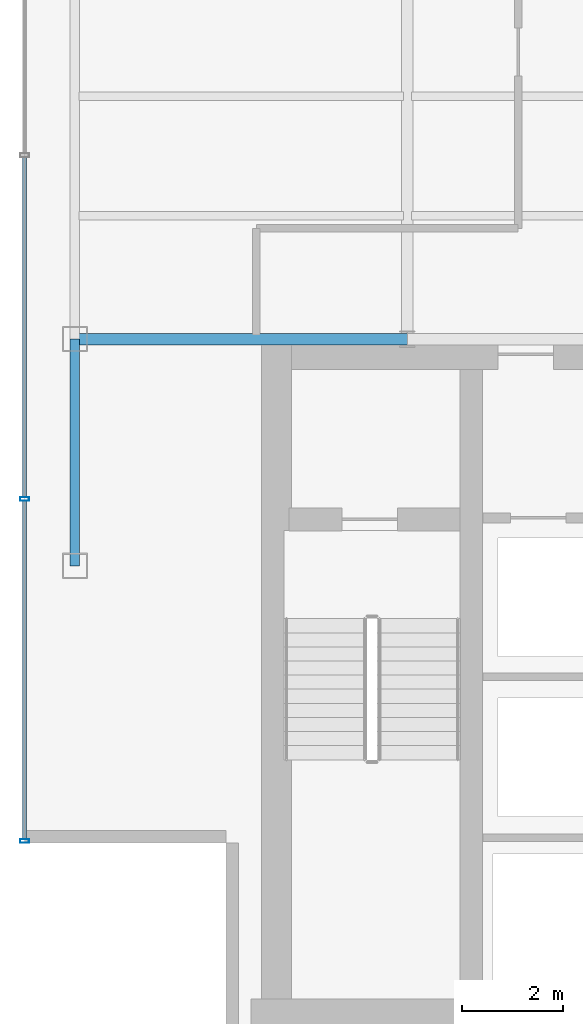
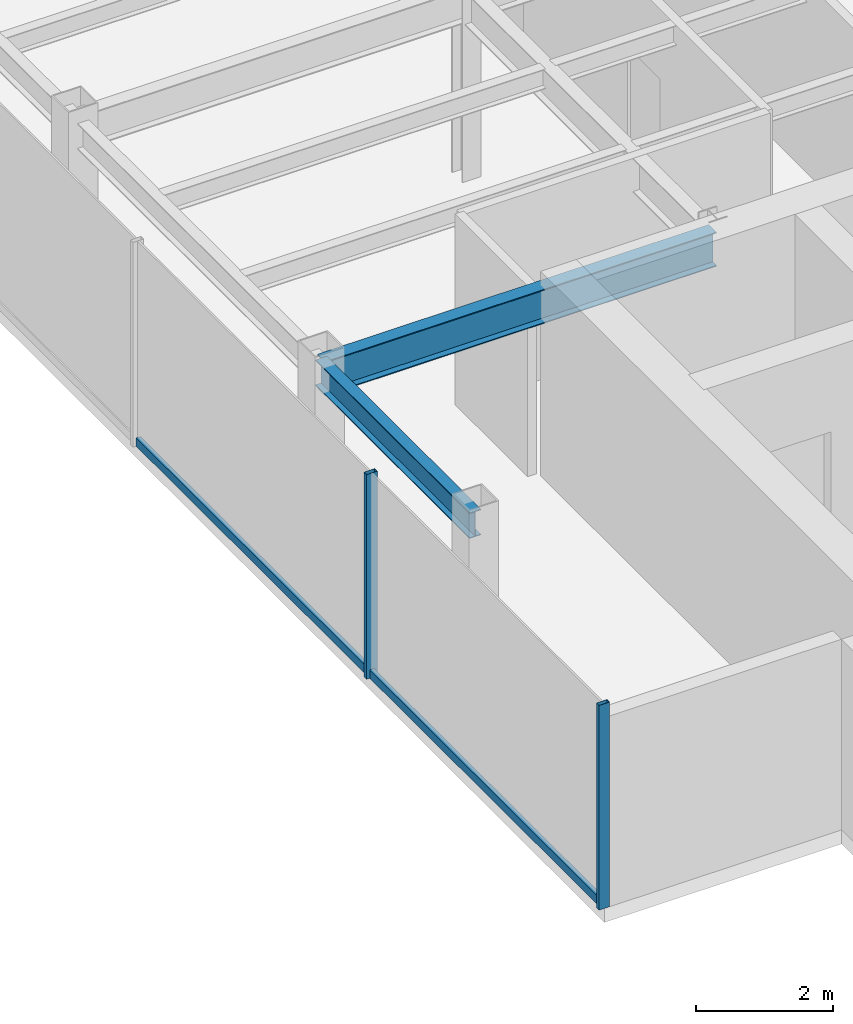
# One storey, part 3 of 21: 4 members, 2 beams, 1 element without a shape of its own.
"""IFC4 building model written with IfcOpenShell, lengths in metres."""

from ifc_helpers import new_model, si_unit, derived_unit, direction, frame, origin, origin_2d, place, context, subcontext, project, spatial, hollow_rectangle, i_section, extrude, source, transform, mapped, material, material_profile, profile_set, type_object, element, aggregate, save


model = new_model("IFC4")

# Units and contexts
model_context = context("Model", 3, precision=1e-05, world=origin(), true_north=direction((0.0, 1.0)))
body_context = subcontext(model_context, "Body", "Model", "MODEL_VIEW")
ifc_project = project(units=[si_unit("LENGTHUNIT", "METRE"), si_unit("AREAUNIT", "SQUARE_METRE"), si_unit("VOLUMEUNIT", "CUBIC_METRE"), si_unit("PLANEANGLEUNIT", "RADIAN"), si_unit("MASSUNIT", "GRAM", prefix="KILO"), derived_unit("THERMALTRANSMITTANCEUNIT", [(si_unit("POWERUNIT", "WATT"), 1), (si_unit("LENGTHUNIT", "METRE"), -2), (si_unit("THERMODYNAMICTEMPERATUREUNIT", "KELVIN"), -1)])], contexts=[model_context])

# Site, building, storey
site_placement = place(None, origin())
site = spatial("IfcSite", under=ifc_project, at=site_placement, CompositionType="ELEMENT")
building_placement = place(site_placement, origin())
building = spatial("IfcBuilding", under=site, at=building_placement, Name="Skarnbrae Concourse Arena and Tower", CompositionType="ELEMENT")
storey_placement = place(building_placement, frame((0.0, 0.0, 188.60009765625)))
storey = spatial("IfcBuildingStorey", under=building, at=storey_placement, Name="L48", CompositionType="ELEMENT", Elevation=188.60009765625)

# Beams
ifc_material_1 = material(Name="Steel CSA G40.21 350W", Category="steel")
ifc_material_profile_1 = material_profile(ifc_material_1, i_section(OverallWidth=0.22802734375, OverallDepth=0.60791015625, WebThickness=0.01123046875, FlangeThickness=0.017333984375, at=origin_2d()), Name="W610X113")
ifc_profile_set_1 = profile_set([ifc_material_profile_1], Name="Steel CSA G40.21 350W")
beam_type_1 = type_object("IfcBeamType", Name="BM-GIRD-W610X113", PredefinedType="BEAM", material=ifc_profile_set_1)
shared_shape_1 = source(origin(), body_context, "Body", "SweptSolid", [
    extrude(i_section(OverallWidth=0.22802734375, OverallDepth=0.60791015625, WebThickness=0.01123046875, FlangeThickness=0.017333984375, at=origin_2d()), origin(), (0.0, 0.0, 1.0), 6.60009765625),
])
beam_1_placement = place(storey_placement, frame((1.0, 14.0, 3.095947265625), z_axis=(1.0, 0.0, 0.0), x_axis=(0.0, 1.0, 0.0)))
element("IfcBeam", 1, at=beam_1_placement, inside=storey, type_object=beam_type_1, Name="L48 Primary E-W girder Y14.0-1", PredefinedType="BEAM", context=body_context, shape_type="MappedRepresentation", body=[
    mapped(shared_shape_1, transform((0.0, 0.0, 0.0))),
])
ifc_material_profile_2 = material_profile(ifc_material_1, i_section(OverallWidth=0.19091796875, OverallDepth=0.4599609375, WebThickness=0.010009765625, FlangeThickness=0.01611328125, at=origin_2d()), Name="W460X82")
ifc_profile_set_2 = profile_set([ifc_material_profile_2], Name="Steel CSA G40.21 350W")
beam_type_2 = type_object("IfcBeamType", Name="BM-SPAN-W460X82", PredefinedType="SPANDREL", material=ifc_profile_set_2)
shared_shape_2 = source(origin(), body_context, "Body", "SweptSolid", [
    extrude(i_section(OverallWidth=0.19091796875, OverallDepth=0.4599609375, WebThickness=0.010009765625, FlangeThickness=0.01611328125, at=origin_2d()), origin(), (0.0, 0.0, 1.0), 4.5),
])
beam_2_placement = place(storey_placement, frame((1.0, 9.5, 3.169921875), z_axis=(0.0, 1.0, 0.0), x_axis=(-1.0, 0.0, 0.0)))
element("IfcBeam", 2, at=beam_2_placement, inside=storey, type_object=beam_type_2, Name="L48 Perimeter spandrel X1.0-1", PredefinedType="SPANDREL", context=body_context, shape_type="MappedRepresentation", body=[
    mapped(shared_shape_2, transform((0.0, 0.0, 0.0))),
])

# Curtain wall, members
ifc_material_2 = material(Name="Bronze anodised aluminium 6063-T6", Category="aluminium")
curtain_wall_type = type_object("IfcCurtainWallType", Name="CW-SYS-05-HIGHZONE", PredefinedType="USERDEFINED", material=ifc_material_2)
curtain_wall_placement = place(storey_placement, origin())
curtain_wall = element("IfcCurtainWall", 3, at=curtain_wall_placement, inside=storey, type_object=curtain_wall_type, Name="L48 Unitised curtain wall CW-L48-E18", ObjectType="UNITISED CURTAIN WALL", PredefinedType="USERDEFINED")
ifc_material_profile_3 = material_profile(ifc_material_2, hollow_rectangle(XDim=0.074951171875, YDim=0.179931640625, WallThickness=0.00390625, at=origin_2d()), Name="ALU-MULL-75X180")
ifc_profile_set_3 = profile_set([ifc_material_profile_3], Name="Bronze anodised aluminium 6063-T6")
member_type_1 = type_object("IfcMemberType", Name="CWM-CW-05", PredefinedType="MULLION", material=ifc_profile_set_3)
shared_shape_3 = source(origin(), body_context, "Body", "SweptSolid", [
    extrude(hollow_rectangle(XDim=0.074951171875, YDim=0.179931640625, WallThickness=0.00390625, at=origin_2d()), origin(), (0.0, 0.0, 1.0), 3.64990234375),
])
member_1_placement = place(storey_placement, frame((0.0, 10.824951171875, 0.0), z_axis=(0.0, 0.0, 1.0), x_axis=(0.0, -1.0, 0.0)))
member_1 = element("IfcMember", 4, at=member_1_placement, type_object=member_type_1, Name="CW-L48-E18 Mullion 4", PredefinedType="MULLION", context=body_context, shape_type="MappedRepresentation", body=[
    mapped(shared_shape_3, transform((0.0, 0.0, 0.0))),
])
member_2_placement = place(storey_placement, frame((0.0, 4.03759765625, 0.0), z_axis=(0.0, 0.0, 1.0), x_axis=(0.0, -1.0, 0.0)))
member_2 = element("IfcMember", 5, at=member_2_placement, type_object=member_type_1, Name="CW-L48-E18 Mullion 5", PredefinedType="MULLION", context=body_context, shape_type="MappedRepresentation", body=[
    mapped(shared_shape_3, transform((0.0, 0.0, 0.0))),
])
ifc_material_profile_4 = material_profile(ifc_material_2, hollow_rectangle(XDim=0.074951171875, YDim=0.14990234375, WallThickness=0.00390625, at=origin_2d()), Name="ALU-TRAN-75X150")
ifc_profile_set_4 = profile_set([ifc_material_profile_4], Name="Bronze anodised aluminium 6063-T6")
member_type_2 = type_object("IfcMemberType", Name="CWT-CW-05", PredefinedType="USERDEFINED", material=ifc_profile_set_4)
shared_shape_4 = source(origin(), body_context, "Body", "SweptSolid", [
    extrude(hollow_rectangle(XDim=0.074951171875, YDim=0.14990234375, WallThickness=0.00390625, at=origin_2d()), origin(), (0.0, 0.0, 1.0), 6.712646484375),
])
member_3_placement = place(storey_placement, frame((0.0, 10.78759765625, 0.074951171875), z_axis=(0.0, -1.0, 0.0), x_axis=(1.0, 0.0, 0.0)))
member_3 = element("IfcMember", 6, at=member_3_placement, type_object=member_type_2, Name="CW-L48-E18 Transom 4", ObjectType="TRANSOM", PredefinedType="USERDEFINED", context=body_context, shape_type="MappedRepresentation", body=[
    mapped(shared_shape_4, transform((0.0, 0.0, 0.0))),
])
shared_shape_5 = source(origin(), body_context, "Body", "SweptSolid", [
    extrude(hollow_rectangle(XDim=0.074951171875, YDim=0.14990234375, WallThickness=0.00390625, at=origin_2d()), origin(), (0.0, 0.0, 1.0), 6.75),
])
member_4_placement = place(storey_placement, frame((0.0, 17.612548828125, 0.074951171875), z_axis=(0.0, -1.0, 0.0), x_axis=(1.0, 0.0, 0.0)))
member_4 = element("IfcMember", 7, at=member_4_placement, type_object=member_type_2, Name="CW-L48-E18 Transom 3", ObjectType="TRANSOM", PredefinedType="USERDEFINED", context=body_context, shape_type="MappedRepresentation", body=[
    mapped(shared_shape_5, transform((0.0, 0.0, 0.0))),
])
aggregate(curtain_wall, [member_1, member_2, member_4, member_3])

save(model, "model.ifc")
